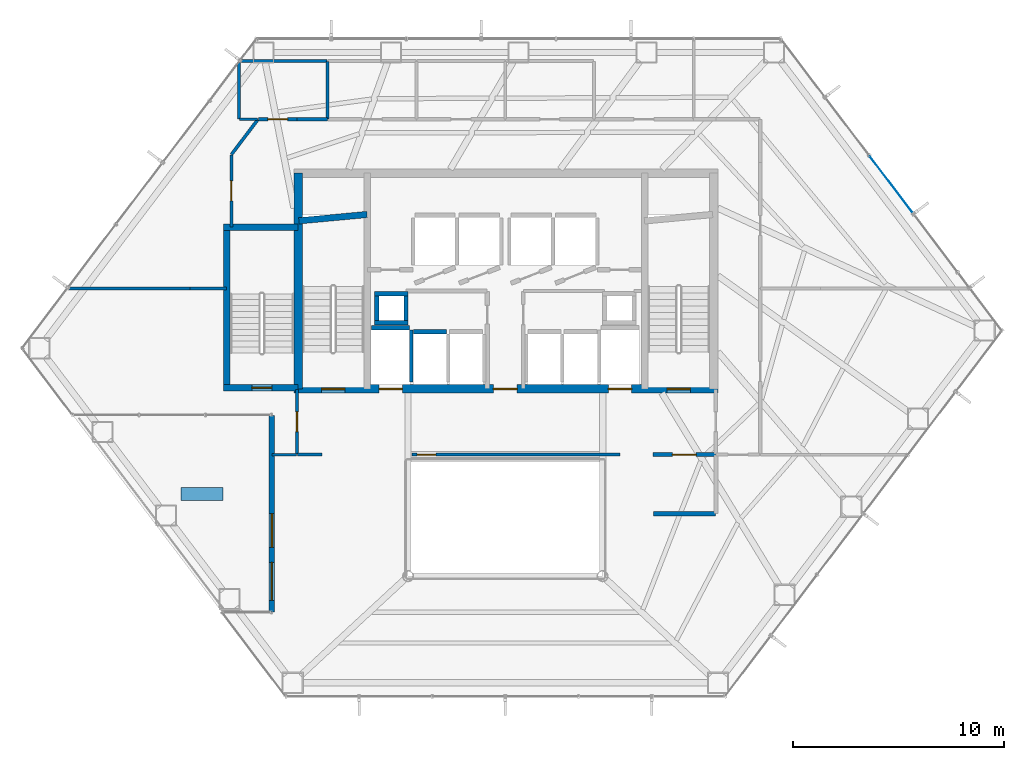
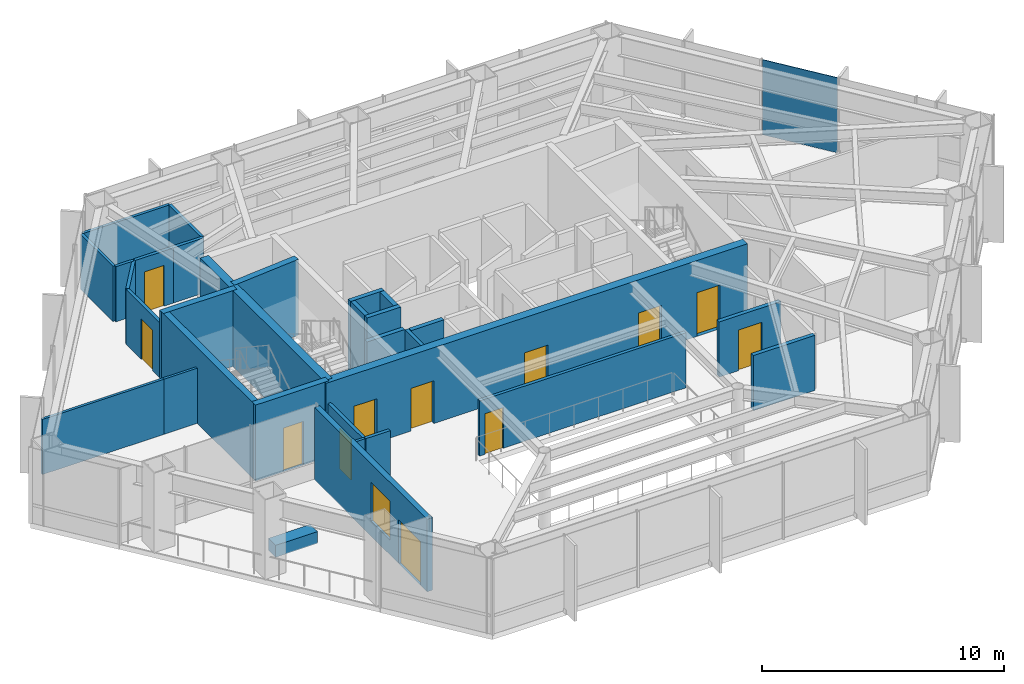
# One storey, part 20 of 24: 31 walls, 12 doors, 1 plate, 1 window, 13 openings, 1 element without a shape of its own.
"""IFC4 building model written with IfcOpenShell, lengths in metres."""

from ifc_helpers import new_model, si_unit, direction, frame, frame_2d, origin, origin_2d, place, context, subcontext, project, spatial, rectangle, extrude, material, layer, layer_set, type_object, element, fill, aggregate, save


model = new_model("IFC4")

# Units and contexts
model_context = context("Model", 3, precision=1e-05, world=origin(), true_north=direction((0.0, 1.0)))
body_context = subcontext(model_context, "Body", "Model", "MODEL_VIEW")
ifc_project = project(units=[si_unit("LENGTHUNIT", "METRE"), si_unit("AREAUNIT", "SQUARE_METRE"), si_unit("VOLUMEUNIT", "CUBIC_METRE"), si_unit("PLANEANGLEUNIT", "RADIAN"), si_unit("MASSUNIT", "GRAM", prefix="KILO")], contexts=[model_context])

# Site, building, storey
site_placement = place(None, origin())
site = spatial("IfcSite", under=ifc_project, at=site_placement, CompositionType="ELEMENT")
building_placement = place(site_placement, origin())
building = spatial("IfcBuilding", under=site, at=building_placement, Name="Zarrinselat Tower", CompositionType="ELEMENT")
storey_placement = place(building_placement, frame((0.0, 0.0, 64.260009765625)))
storey = spatial("IfcBuildingStorey", under=building, at=storey_placement, Name="L15", CompositionType="ELEMENT", Elevation=64.260009765625)

# Curtain wall, plate
ifc_material_1 = material(Name="Extruded Aluminium Alloy EN AW-6063 T6", Category="aluminium")
ifc_layer_1 = layer(ifc_material_1, 0.18505859375)
ifc_layer_set_1 = layer_set([ifc_layer_1], Name="Extruded Aluminium Alloy EN AW-6063 T6")
curtain_wall_type = type_object("IfcCurtainWallType", Name="CWS-OFF", PredefinedType="NOTDEFINED", material=ifc_layer_set_1)
curtain_wall_placement = place(storey_placement, origin())
curtain_wall = element("IfcCurtainWall", 1, at=curtain_wall_placement, inside=storey, type_object=curtain_wall_type, Name="L15 Unitised Curtain Wall CW-L15-E03", PredefinedType="NOTDEFINED")
ifc_material_2 = material(Name="Double Low-E Laminated Solar Glass", Category="glass")
ifc_layer_2 = layer(ifc_material_2, 0.031982421875)
ifc_layer_set_2 = layer_set([ifc_layer_2], Name="Double Low-E Laminated Solar Glass")
plate_type = type_object("IfcPlateType", Name="PLT-CW-GL32", PredefinedType="CURTAIN_PANEL", material=ifc_layer_set_2)
plate_placement = place(storey_placement, frame((56.654296875, 42.90966796875, 0.02001953125), z_axis=(0.0, 0.0, 1.0), x_axis=(0.603859800485, -0.797090547779, 0.0)))
plate = element("IfcPlate", 2, at=plate_placement, type_object=plate_type, Name="CW-L15-E03 Vision Glass Panel 3", PredefinedType="CURTAIN_PANEL", context=body_context, shape_type="SweptSolid", body=[
    extrude(rectangle(XDim=3.36328125, YDim=0.031982421875, at=origin_2d()), origin(), (0.0, 0.0, 1.0), 3.780029296875),
])
aggregate(curtain_wall, [plate])

# Wall, openings, door, window
ifc_material_3 = material(Name="Honed Cream Travertine Stone", Category="masonry")
ifc_layer_3 = layer(ifc_material_3, 0.260009765625)
ifc_layer_set_3 = layer_set([ifc_layer_3], Name="Honed Cream Travertine Stone")
wall_type_1 = type_object("IfcWallType", Name="WAL-EXT-STONE-260", PredefinedType="STANDARD", material=ifc_layer_set_3)
wall_1_placement = place(storey_placement, frame((27.363525390625, 22.70654296875, 0.0), z_axis=(0.0, 0.0, 1.0), x_axis=(0.0, 1.0, 0.0)))
wall_1 = element("IfcWall", 3, at=wall_1_placement, inside=storey, type_object=wall_type_1, Name="L15 Garden Terrace Portal Wall", PredefinedType="STANDARD", context=body_context, shape_type="SweptSolid", body=[
    extrude(rectangle(XDim=9.29345703125, YDim=0.260009765625, at=frame_2d((4.646728515625, 0.0))), origin(), (0.0, 0.0, 1.0), 3.64990234375),
])
opening_1_placement = place(wall_1_placement, frame((0.550048828125, 0.0, 0.0)))
opening_1 = element("IfcOpeningElement", 4, at=opening_1_placement, cuts=wall_1, Name="Opening ED-04", PredefinedType="OPENING", context=body_context, shape_type="SweptSolid", body=[
    extrude(rectangle(XDim=1.800048828125, YDim=2.199951171875, at=frame_2d((0.89990234375, 1.10009765625))), frame((0.0, 0.139892578125, 0.0), z_axis=(0.0, -1.0, 0.0), x_axis=(1.0, 0.0, 0.0)), (0.0, 0.0, 1.0), 0.280029296875),
])
opening_2_placement = place(wall_1_placement, frame((3.050048828125, 0.0, 0.75)))
opening_2 = element("IfcOpeningElement", 5, at=opening_2_placement, cuts=wall_1, Name="Opening WN-4", PredefinedType="OPENING", context=body_context, shape_type="SweptSolid", body=[
    extrude(rectangle(XDim=1.60009765625, YDim=1.949951171875, at=frame_2d((0.800048828125, 0.97509765625))), frame((0.0, 0.139892578125, 0.0), z_axis=(0.0, -1.0, 0.0), x_axis=(1.0, 0.0, 0.0)), (0.0, 0.0, 1.0), 0.280029296875),
])
ifc_material_4 = material(Name="Double Low-E Laminated Solar Glass", Category="glass")
door_type_1 = type_object("IfcDoorType", Name="DR-EXT-TERR-1800", OperationType="NOTDEFINED", PredefinedType="DOOR", material=ifc_material_4)
door_1_placement = place(opening_1_placement, origin())
door_1 = element("IfcDoor", 6, at=door_1_placement, inside=storey, type_object=door_type_1, Name="L15 Outdoor Garden Terrace Double Door", OperationType="DOUBLE_DOOR_SINGLE_SWING", OverallHeight=2.199951171875, OverallWidth=1.800048828125, PredefinedType="DOOR", context=body_context, shape_type="SweptSolid", body=[
    extrude(rectangle(XDim=1.800048828125, YDim=2.199951171875, at=frame_2d((0.89990234375, 1.10009765625))), frame((0.0, 0.02490234375, 0.0), z_axis=(0.0, -1.0, 0.0), x_axis=(1.0, 0.0, 0.0)), (0.0, 0.0, 1.0), 0.050048828125),
])
fill(opening_1, door_1)
ifc_material_5 = material(Name="Double Low-E Laminated Solar Glass", Category="glass")
window_type = type_object("IfcWindowType", Name="WIN-SKYG-1600", PartitioningType="SINGLE_PANEL", PredefinedType="WINDOW", material=ifc_material_5)
window_placement = place(opening_2_placement, origin())
window = element("IfcWindow", 7, at=window_placement, inside=storey, type_object=window_type, Name="L15 Garden Pavilion Window L", OverallHeight=1.949951171875, OverallWidth=1.60009765625, PartitioningType="SINGLE_PANEL", PredefinedType="WINDOW", context=body_context, shape_type="SweptSolid", body=[
    extrude(rectangle(XDim=1.60009765625, YDim=1.949951171875, at=frame_2d((0.800048828125, 0.97509765625))), frame((0.0, 0.030029296875, 0.0), z_axis=(0.0, -1.0, 0.0), x_axis=(1.0, 0.0, 0.0)), (0.0, 0.0, 1.0), 0.06005859375),
])
fill(opening_2, window)

# Wall, opening, door
ifc_material_6 = material(Name="Concrete C40/50", Category="concrete")
ifc_layer_4 = layer(ifc_material_6, 0.18994140625)
ifc_layer_set_4 = layer_set([ifc_layer_4], Name="Concrete C40/50")
wall_type_2 = type_object("IfcWallType", Name="WAL-PART-EI120", PredefinedType="PARTITIONING", material=ifc_layer_set_4)
wall_2_placement = place(storey_placement, frame((45.385009765625, 30.14990234375, 0.0), z_axis=(0.0, 0.0, 1.0), x_axis=(1.0, 0.0, 0.0)))
wall_2 = element("IfcWall", 8, at=wall_2_placement, inside=storey, type_object=wall_type_2, Name="L15 Partition Wall 8", PredefinedType="PARTITIONING", context=body_context, shape_type="SweptSolid", body=[
    extrude(rectangle(XDim=2.945068359375, YDim=0.18994140625, at=frame_2d((1.47265625, 0.0))), origin(), (0.0, 0.0, 1.0), 2.777099609375),
])
opening_3_placement = place(wall_2_placement, frame((0.91259765625, 0.0, 0.0)))
opening_3 = element("IfcOpeningElement", 9, at=opening_3_placement, cuts=wall_2, Name="Opening ID-02", PredefinedType="OPENING", context=body_context, shape_type="SweptSolid", body=[
    extrude(rectangle(XDim=1.1201171875, YDim=2.050048828125, at=frame_2d((0.56005859375, 1.02490234375))), frame((0.0, 0.10498046875, 0.0), z_axis=(0.0, -1.0, 0.0), x_axis=(1.0, 0.0, 0.0)), (0.0, 0.0, 1.0), 0.2099609375),
])
ifc_material_7 = material(Name="Steel S355J2", Category="steel")
door_type_2 = type_object("IfcDoorType", Name="DR-INT-FD60-W", OperationType="NOTDEFINED", PredefinedType="DOOR", material=ifc_material_7)
door_2_placement = place(opening_3_placement, origin())
door_2 = element("IfcDoor", 10, at=door_2_placement, inside=storey, type_object=door_type_2, Name="L15 Interior Door P8", OperationType="SINGLE_SWING_RIGHT", OverallHeight=2.050048828125, OverallWidth=1.1201171875, PredefinedType="DOOR", context=body_context, shape_type="SweptSolid", body=[
    extrude(rectangle(XDim=1.1201171875, YDim=2.050048828125, at=frame_2d((0.56005859375, 1.02490234375))), frame((0.0, 0.02490234375, 0.0), z_axis=(0.0, -1.0, 0.0), x_axis=(1.0, 0.0, 0.0)), (0.0, 0.0, 1.0), 0.050048828125),
])
fill(opening_3, door_2)

# Walls
wall_3_placement = place(storey_placement, frame((45.39990234375, 27.35009765625, 0.0), z_axis=(0.0, 0.0, 1.0), x_axis=(1.0, 0.0, 0.0)))
element("IfcWall", 11, at=wall_3_placement, inside=storey, type_object=wall_type_2, Name="L15 Partition Wall 13", PredefinedType="PARTITIONING", context=body_context, shape_type="SweptSolid", body=[
    extrude(rectangle(XDim=2.93017578125, YDim=0.18994140625, at=frame_2d((1.465087890625, 0.0))), origin(), (0.0, 0.0, 1.0), 2.777099609375),
])
ifc_material_8 = material(Name="Fire-Rated Gypsum Board Partition", Category="gypsum")
ifc_layer_5 = layer(ifc_material_8, 0.14990234375)
ifc_layer_set_5 = layer_set([ifc_layer_5], Name="Fire-Rated Gypsum Board Partition")
wall_type_3 = type_object("IfcWallType", Name="WAL-PART-EI60", PredefinedType="PARTITIONING", material=ifc_layer_set_5)
wall_4_placement = place(storey_placement, frame((28.570068359375, 30.14990234375, 0.0), z_axis=(0.0, 0.0, 1.0), x_axis=(1.0, 0.0, 0.0)))
element("IfcWall", 12, at=wall_4_placement, inside=storey, type_object=wall_type_3, Name="L15 Partition Wall 10", PredefinedType="PARTITIONING", context=body_context, shape_type="SweptSolid", body=[
    extrude(rectangle(XDim=1.16845703125, YDim=0.14990234375, at=frame_2d((0.584228515625, 0.0))), origin(), (0.0, 0.0, 1.0), 2.777099609375),
])

# Wall, opening, door
wall_5_placement = place(storey_placement, frame((28.550048828125, 30.169921875, 0.0), z_axis=(0.0, 0.0, 1.0), x_axis=(0.0, 1.0, 0.0)))
wall_5 = element("IfcWall", 13, at=wall_5_placement, inside=storey, type_object=wall_type_3, Name="L15 Partition Wall 11", PredefinedType="PARTITIONING", context=body_context, shape_type="SweptSolid", body=[
    extrude(rectangle(XDim=3.065185546875, YDim=0.14990234375, at=frame_2d((1.53271484375, 0.0))), origin(), (0.0, 0.0, 1.0), 2.777099609375),
])
opening_4_placement = place(wall_5_placement, frame((1.0625, 0.0, 0.0)))
opening_4 = element("IfcOpeningElement", 14, at=opening_4_placement, cuts=wall_5, Name="Opening ID-04", PredefinedType="OPENING", context=body_context, shape_type="SweptSolid", body=[
    extrude(rectangle(XDim=0.93994140625, YDim=2.050048828125, at=frame_2d((0.469970703125, 1.02490234375))), frame((0.0, 0.0849609375, 0.0), z_axis=(0.0, -1.0, 0.0), x_axis=(1.0, 0.0, 0.0)), (0.0, 0.0, 1.0), 0.169921875),
])
ifc_material_9 = material(Name="Fire-Rated Gypsum Board Partition")
door_type_3 = type_object("IfcDoorType", Name="DR-INT-FD30-ENT", OperationType="NOTDEFINED", PredefinedType="DOOR", material=ifc_material_9)
door_3_placement = place(opening_4_placement, origin())
door_3 = element("IfcDoor", 15, at=door_3_placement, inside=storey, type_object=door_type_3, Name="L15 Interior Door P11", OperationType="SINGLE_SWING_RIGHT", OverallHeight=2.050048828125, OverallWidth=0.93994140625, PredefinedType="DOOR", context=body_context, shape_type="SweptSolid", body=[
    extrude(rectangle(XDim=0.93994140625, YDim=2.050048828125, at=frame_2d((0.469970703125, 1.02490234375))), frame((0.0, 0.02490234375, 0.0), z_axis=(0.0, -1.0, 0.0), x_axis=(1.0, 0.0, 0.0)), (0.0, 0.0, 1.0), 0.050048828125),
])
fill(opening_4, door_3)

wall_6_placement = place(storey_placement, frame((33.985107421875, 30.14990234375, 0.0), z_axis=(0.0, 0.0, 1.0), x_axis=(1.0, 0.0, 0.0)))
wall_6 = element("IfcWall", 16, at=wall_6_placement, inside=storey, type_object=wall_type_3, Name="L15 Partition Wall 12", PredefinedType="PARTITIONING", context=body_context, shape_type="SweptSolid", body=[
    extrude(rectangle(XDim=9.829833984375, YDim=0.14990234375, at=frame_2d((4.9150390625, 0.0))), origin(), (0.0, 0.0, 1.0), 2.777099609375),
])
opening_5_placement = place(wall_6_placement, frame((0.25, 0.0, 0.0)))
opening_5 = element("IfcOpeningElement", 17, at=opening_5_placement, cuts=wall_6, Name="Opening ID-03", PredefinedType="OPENING", context=body_context, shape_type="SweptSolid", body=[
    extrude(rectangle(XDim=0.8798828125, YDim=2.050048828125, at=frame_2d((0.43994140625, 1.02490234375))), frame((0.0, 0.0849609375, 0.0), z_axis=(0.0, -1.0, 0.0), x_axis=(1.0, 0.0, 0.0)), (0.0, 0.0, 1.0), 0.169921875),
])
ifc_material_10 = material(Name="Steel S355J2", Category="steel")
door_type_4 = type_object("IfcDoorType", Name="DR-INT-FD60-S", OperationType="NOTDEFINED", PredefinedType="DOOR", material=ifc_material_10)
door_4_placement = place(opening_5_placement, origin())
door_4 = element("IfcDoor", 18, at=door_4_placement, inside=storey, type_object=door_type_4, Name="L15 Interior Door P12", OperationType="SINGLE_SWING_LEFT", OverallHeight=2.050048828125, OverallWidth=0.8798828125, PredefinedType="DOOR", context=body_context, shape_type="SweptSolid", body=[
    extrude(rectangle(XDim=0.8798828125, YDim=2.050048828125, at=frame_2d((0.43994140625, 1.02490234375))), frame((0.0, 0.02490234375, 0.0), z_axis=(0.0, -1.0, 0.0), x_axis=(1.0, 0.0, 0.0)), (0.0, 0.0, 1.0), 0.050048828125),
])
fill(opening_5, door_4)

wall_7_placement = place(storey_placement, frame((26.730224609375, 46.0, 0.0), z_axis=(0.0, 0.0, 1.0), x_axis=(1.0, 0.0, 0.0)))
wall_7 = element("IfcWall", 19, at=wall_7_placement, inside=storey, type_object=wall_type_3, Name="L15 Partition Wall 15", PredefinedType="PARTITIONING", context=body_context, shape_type="SweptSolid", body=[
    extrude(rectangle(XDim=1.81982421875, YDim=0.14990234375, at=frame_2d((0.909912109375, 0.0))), origin(), (0.0, 0.0, 1.0), 2.777099609375),
])
opening_6_placement = place(wall_7_placement, frame((0.43994140625, 0.0, 0.0)))
opening_6 = element("IfcOpeningElement", 20, at=opening_6_placement, cuts=wall_7, Name="Opening ID-04", PredefinedType="OPENING", context=body_context, shape_type="SweptSolid", body=[
    extrude(rectangle(XDim=0.93994140625, YDim=2.050048828125, at=frame_2d((0.469970703125, 1.02490234375))), frame((0.0, 0.0849609375, 0.0), z_axis=(0.0, -1.0, 0.0), x_axis=(1.0, 0.0, 0.0)), (0.0, 0.0, 1.0), 0.169921875),
])
door_5_placement = place(opening_6_placement, origin())
door_5 = element("IfcDoor", 21, at=door_5_placement, inside=storey, type_object=door_type_3, Name="L15 Interior Door P15", OperationType="SINGLE_SWING_RIGHT", OverallHeight=2.050048828125, OverallWidth=0.93994140625, PredefinedType="DOOR", context=body_context, shape_type="SweptSolid", body=[
    extrude(rectangle(XDim=0.93994140625, YDim=2.050048828125, at=frame_2d((0.469970703125, 1.02490234375))), frame((0.0, 0.02490234375, 0.0), z_axis=(0.0, -1.0, 0.0), x_axis=(1.0, 0.0, 0.0)), (0.0, 0.0, 1.0), 0.050048828125),
])
fill(opening_6, door_5)

# Wall
wall_8_placement = place(storey_placement, frame((28.550048828125, 46.0, 0.0), z_axis=(0.0, 0.0, 1.0), x_axis=(1.0, 0.0, 0.0)))
element("IfcWall", 22, at=wall_8_placement, inside=storey, type_object=wall_type_3, Name="L15 Partition Wall 16", PredefinedType="PARTITIONING", context=body_context, shape_type="SweptSolid", body=[
    extrude(rectangle(XDim=1.445068359375, YDim=0.14990234375, at=frame_2d((0.72265625, 0.0))), origin(), (0.0, 0.0, 1.0), 2.777099609375),
])

# Wall, opening, door
wall_9_placement = place(storey_placement, frame((25.449951171875, 40.9150390625, 0.0), z_axis=(0.0, 0.0, 1.0), x_axis=(0.0, 1.0, 0.0)))
wall_9 = element("IfcWall", 23, at=wall_9_placement, inside=storey, type_object=wall_type_3, Name="L15 Partition Wall 22", PredefinedType="PARTITIONING", context=body_context, shape_type="SweptSolid", body=[
    extrude(rectangle(XDim=3.406494140625, YDim=0.14990234375, at=frame_2d((1.703125, 0.0))), origin(), (0.0, 0.0, 1.0), 2.777099609375),
])
opening_7_placement = place(wall_9_placement, frame((1.2333984375, 0.0, 0.0)))
opening_7 = element("IfcOpeningElement", 24, at=opening_7_placement, cuts=wall_9, Name="Opening ID-04", PredefinedType="OPENING", context=body_context, shape_type="SweptSolid", body=[
    extrude(rectangle(XDim=0.93994140625, YDim=2.050048828125, at=frame_2d((0.469970703125, 1.02490234375))), frame((0.0, 0.0849609375, 0.0), z_axis=(0.0, -1.0, 0.0), x_axis=(1.0, 0.0, 0.0)), (0.0, 0.0, 1.0), 0.169921875),
])
door_6_placement = place(opening_7_placement, origin())
door_6 = element("IfcDoor", 25, at=door_6_placement, inside=storey, type_object=door_type_3, Name="L15 Interior Door P22", OperationType="SINGLE_SWING_RIGHT", OverallHeight=2.050048828125, OverallWidth=0.93994140625, PredefinedType="DOOR", context=body_context, shape_type="SweptSolid", body=[
    extrude(rectangle(XDim=0.93994140625, YDim=2.050048828125, at=frame_2d((0.469970703125, 1.02490234375))), frame((0.0, 0.02490234375, 0.0), z_axis=(0.0, -1.0, 0.0), x_axis=(1.0, 0.0, 0.0)), (0.0, 0.0, 1.0), 0.050048828125),
])
fill(opening_7, door_6)

# Walls
wall_10_placement = place(storey_placement, frame((25.449951171875, 44.336669921875, 0.0), z_axis=(0.0, 0.0, 1.0), x_axis=(0.603848590911, 0.797099039803, 0.0)))
element("IfcWall", 26, at=wall_10_placement, inside=storey, type_object=wall_type_3, Name="L15 Partition Wall 23", PredefinedType="PARTITIONING", context=body_context, shape_type="SweptSolid", body=[
    extrude(rectangle(XDim=2.06689453125, YDim=0.14990234375, at=frame_2d((1.033447265625, 0.0))), origin(), (0.0, 0.0, 1.0), 2.777099609375),
])
ifc_material_11 = material(Name="Fire-Rated Gypsum Board Partition", Category="gypsum")
ifc_layer_6 = layer(ifc_material_11, 0.1201171875)
ifc_layer_set_6 = layer_set([ifc_layer_6], Name="Fire-Rated Gypsum Board Partition")
wall_type_4 = type_object("IfcWallType", Name="WAL-PART-STD", PredefinedType="PARTITIONING", material=ifc_layer_set_6)
wall_11_placement = place(storey_placement, frame((27.378662109375, 30.14990234375, 0.0), z_axis=(0.0, 0.0, 1.0), x_axis=(1.0, 0.0, 0.0)))
element("IfcWall", 27, at=wall_11_placement, inside=storey, type_object=wall_type_4, Name="L15 Partition Wall 39", PredefinedType="PARTITIONING", context=body_context, shape_type="SweptSolid", body=[
    extrude(rectangle(XDim=1.1513671875, YDim=0.1201171875, at=frame_2d((0.57568359375, 0.0))), origin(), (0.0, 0.0, 1.0), 2.777099609375),
])
wall_12_placement = place(storey_placement, frame((17.703857421875, 38.0, 0.0), z_axis=(0.0, 0.0, 1.0), x_axis=(1.0, 0.0, 0.0)))
element("IfcWall", 28, at=wall_12_placement, inside=storey, type_object=wall_type_4, Name="L15 Partition Wall 42", PredefinedType="PARTITIONING", context=body_context, shape_type="SweptSolid", body=[
    extrude(rectangle(XDim=5.796142578125, YDim=0.1201171875, at=frame_2d((2.89794921875, 0.0))), origin(), (0.0, 0.0, 1.0), 2.777099609375),
])
wall_13_placement = place(storey_placement, frame((23.5, 38.0, 0.0), z_axis=(0.0, 0.0, 1.0), x_axis=(1.0, 0.0, 0.0)))
element("IfcWall", 29, at=wall_13_placement, inside=storey, type_object=wall_type_4, Name="L15 Partition Wall 43", PredefinedType="PARTITIONING", context=body_context, shape_type="SweptSolid", body=[
    extrude(rectangle(XDim=1.715087890625, YDim=0.1201171875, at=frame_2d((0.857421875, 0.0))), origin(), (0.0, 0.0, 1.0), 2.777099609375),
])
ifc_material_12 = material(Name="Fire-Rated Gypsum Board Partition", Category="gypsum")
ifc_layer_7 = layer(ifc_material_12, 0.135009765625)
ifc_layer_set_7 = layer_set([ifc_layer_7], Name="Fire-Rated Gypsum Board Partition")
wall_type_5 = type_object("IfcWallType", Name="WAL-PART-WET", PredefinedType="PARTITIONING", material=ifc_layer_set_7)
wall_14_placement = place(storey_placement, frame((30.0, 46.02001953125, 0.0), z_axis=(0.0, 0.0, 1.0), x_axis=(0.0, 1.0, 0.0)))
element("IfcWall", 30, at=wall_14_placement, inside=storey, type_object=wall_type_5, Name="L15 Partition Wall 29", PredefinedType="PARTITIONING", context=body_context, shape_type="SweptSolid", body=[
    extrude(rectangle(XDim=2.7099609375, YDim=0.135009765625, at=frame_2d((1.35498046875, 0.0))), origin(), (0.0, 0.0, 1.0), 2.777099609375),
])
wall_15_placement = place(storey_placement, frame((25.820068359375, 46.0, 0.0), z_axis=(0.0, 0.0, 1.0), x_axis=(1.0, 0.0, 0.0)))
element("IfcWall", 31, at=wall_15_placement, inside=storey, type_object=wall_type_5, Name="L15 Partition Wall 30", PredefinedType="PARTITIONING", context=body_context, shape_type="SweptSolid", body=[
    extrude(rectangle(XDim=0.8701171875, YDim=0.135009765625, at=frame_2d((0.43505859375, 0.0))), origin(), (0.0, 0.0, 1.0), 2.777099609375),
])
wall_16_placement = place(storey_placement, frame((25.800048828125, 46.02001953125, 0.0), z_axis=(0.0, 0.0, 1.0), x_axis=(0.0, 1.0, 0.0)))
element("IfcWall", 32, at=wall_16_placement, inside=storey, type_object=wall_type_5, Name="L15 Partition Wall 31", PredefinedType="PARTITIONING", context=body_context, shape_type="SweptSolid", body=[
    extrude(rectangle(XDim=2.671875, YDim=0.135009765625, at=frame_2d((1.3359375, 0.0))), origin(), (0.0, 0.0, 1.0), 2.777099609375),
])
wall_17_placement = place(storey_placement, frame((25.84765625, 48.75, 0.0), z_axis=(0.0, 0.0, 1.0), x_axis=(1.0, 0.0, 0.0)))
element("IfcWall", 33, at=wall_17_placement, inside=storey, type_object=wall_type_5, Name="L15 Partition Wall 32", PredefinedType="PARTITIONING", context=body_context, shape_type="SweptSolid", body=[
    extrude(rectangle(XDim=4.13232421875, YDim=0.135009765625, at=frame_2d((2.066162109375, 0.0))), origin(), (0.0, 0.0, 1.0), 2.777099609375),
])
ifc_material_13 = material(Name="Honed Cream Travertine Stone", Category="masonry")
ifc_layer_8 = layer(ifc_material_13, 0.199951171875)
ifc_layer_set_8 = layer_set([ifc_layer_8], Name="Honed Cream Travertine Stone")
wall_type_6 = type_object("IfcWallType", Name="WAL-PLANTER-200", PredefinedType="PARAPET", material=ifc_layer_set_8)
wall_18_placement = place(storey_placement, frame((23.059814453125, 28.281494140625, 0.0), z_axis=(0.0, 0.0, 1.0), x_axis=(1.0, 0.0, 0.0)))
element("IfcWall", 34, at=wall_18_placement, inside=storey, type_object=wall_type_6, Name="L15 Badgir Sky Garden Stone PLANTER Bed", PredefinedType="PARAPET", context=body_context, shape_type="SweptSolid", body=[
    extrude(rectangle(XDim=2.0, YDim=0.60009765625, at=frame_2d((1.0, 0.0))), origin(), (0.0, 0.0, 1.0), 0.60009765625),
])
ifc_material_14 = material(Name="Concrete C40/50", Category="concrete")
ifc_layer_9 = layer(ifc_material_14, 0.2099609375)
ifc_layer_set_9 = layer_set([ifc_layer_9], Name="Concrete C40/50")
wall_type_7 = type_object("IfcWallType", Name="WAL-SHAFT-210", PredefinedType="SOLIDWALL", material=ifc_layer_set_9)
wall_19_placement = place(storey_placement, frame((32.080078125, 36.155029296875, 0.0), z_axis=(0.0, 0.0, 1.0), x_axis=(1.0, 0.0, 0.0)))
element("IfcWall", 35, at=wall_19_placement, inside=storey, type_object=wall_type_7, Name="L15 Lift FFL1 North Shaft Wall", PredefinedType="SOLIDWALL", context=body_context, shape_type="SweptSolid", body=[
    extrude(rectangle(XDim=1.7998046875, YDim=0.2099609375, at=frame_2d((0.89990234375, 0.0))), origin(), (0.0, 0.0, 1.0), 2.7919921875),
])
wall_20_placement = place(storey_placement, frame((33.949951171875, 33.580078125, 0.0), z_axis=(0.0, 0.0, 1.0), x_axis=(0.0, 1.0, 0.0)))
element("IfcWall", 36, at=wall_20_placement, inside=storey, type_object=wall_type_7, Name="L15 Lift FFL1 E Shaft Wall", PredefinedType="SOLIDWALL", context=body_context, shape_type="SweptSolid", body=[
    extrude(rectangle(XDim=2.449951171875, YDim=0.159912109375, at=frame_2d((1.22509765625, 0.0))), origin(), (0.0, 0.0, 1.0), 2.7919921875),
])
wall_21_placement = place(storey_placement, frame((34.070068359375, 35.955078125, 0.0), z_axis=(0.0, 0.0, 1.0), x_axis=(1.0, 0.0, 0.0)))
element("IfcWall", 37, at=wall_21_placement, inside=storey, type_object=wall_type_7, Name="L15 Lift PL5 North Shaft Wall", PredefinedType="SOLIDWALL", context=body_context, shape_type="SweptSolid", body=[
    extrude(rectangle(XDim=1.559814453125, YDim=0.2099609375, at=frame_2d((0.77978515625, 0.0))), origin(), (0.0, 0.0, 1.0), 2.7919921875),
])
for number, where, z_axis, x_axis, name in (
    (38, (32.2099609375, 36.375, 0.0), (0.0, 0.0, 1.0), (1.0, 0.0, 0.0), "L15 Core Riser RSR-W S Shaft Wall"),
    (39, (32.2099609375, 37.7451171875, 0.0), (0.0, 0.0, 1.0), (1.0, 0.0, 0.0), "L15 Core Riser RSR-W N Shaft Wall"),
):
    element("IfcWall", number, at=place(storey_placement, frame(where, z_axis=z_axis, x_axis=x_axis)), inside=storey, type_object=wall_type_7, Name=name, PredefinedType="SOLIDWALL", context=body_context, shape_type="SweptSolid", body=[
        extrude(rectangle(XDim=1.60009765625, YDim=0.2099609375, at=frame_2d((0.800048828125, 0.0))), origin(), (0.0, 0.0, 1.0), 3.820068359375),
    ])
for number, where, z_axis, x_axis, name in (
    (40, (32.31494140625, 36.485107421875, 0.0), (0.0, 0.0, 1.0), (0.0, 1.0, 0.0), "L15 Core Riser RSR-W W Shaft Wall"),
    (41, (33.705078125, 36.485107421875, 0.0), (0.0, 0.0, 1.0), (0.0, 1.0, 0.0), "L15 Core Riser RSR-W E Shaft Wall"),
):
    element("IfcWall", number, at=place(storey_placement, frame(where, z_axis=z_axis, x_axis=x_axis)), inside=storey, type_object=wall_type_7, Name=name, PredefinedType="SOLIDWALL", context=body_context, shape_type="SweptSolid", body=[
        extrude(rectangle(XDim=1.14990234375, YDim=0.2099609375, at=frame_2d((0.574951171875, 0.0))), origin(), (0.0, 0.0, 1.0), 3.820068359375),
    ])
ifc_material_15 = material(Name="Concrete C40/50", Category="concrete")
ifc_layer_10 = layer(ifc_material_15, 0.300048828125)
ifc_layer_set_10 = layer_set([ifc_layer_10], Name="Concrete C40/50")
wall_type_8 = type_object("IfcWallType", Name="WAL-SHEAR-300", PredefinedType="SHEAR", material=ifc_layer_set_10)
wall_22_placement = place(storey_placement, frame((28.639892578125, 41.199951171875, 0.0), z_axis=(0.0, 0.0, 1.0), x_axis=(0.995687118776, 0.092774789157, 0.0)))
element("IfcWall", 42, at=wall_22_placement, inside=storey, type_object=wall_type_8, Name="L15 Stair 1 North Shaft Wall", PredefinedType="SHEAR", context=body_context, shape_type="SweptSolid", body=[
    extrude(rectangle(XDim=3.234130859375, YDim=0.300048828125, at=frame_2d((1.6171875, 0.0))), origin(), (0.0, 0.0, 1.0), 3.820068359375),
])
wall_23_placement = place(storey_placement, frame((25.080078125, 40.89990234375, 0.0), z_axis=(0.0, 0.0, 1.0), x_axis=(1.0, 0.0, 0.0)))
element("IfcWall", 43, at=wall_23_placement, inside=storey, type_object=wall_type_8, Name="L15 Stair 3 North Shear Wall", PredefinedType="SHEAR", context=body_context, shape_type="SweptSolid", body=[
    extrude(rectangle(XDim=3.52001953125, YDim=0.300048828125, at=frame_2d((1.760009765625, 0.0))), origin(), (0.0, 0.0, 1.0), 3.820068359375),
])

# Wall, opening, door
wall_24_placement = place(storey_placement, frame((25.080078125, 33.300048828125, 0.0), z_axis=(0.0, 0.0, 1.0), x_axis=(1.0, 0.0, 0.0)))
wall_24 = element("IfcWall", 44, at=wall_24_placement, inside=storey, type_object=wall_type_8, Name="L15 Stair 3 South Shear Wall", PredefinedType="SHEAR", context=body_context, shape_type="SweptSolid", body=[
    extrude(rectangle(XDim=3.52001953125, YDim=0.300048828125, at=frame_2d((1.760009765625, 0.0))), origin(), (0.0, 0.0, 1.0), 3.820068359375),
])
opening_8_placement = place(wall_24_placement, frame((1.3349609375, 0.0, 0.0)))
opening_8 = element("IfcOpeningElement", 45, at=opening_8_placement, cuts=wall_24, Name="Opening SD-02", PredefinedType="OPENING", context=body_context, shape_type="SweptSolid", body=[
    extrude(rectangle(XDim=0.949951171875, YDim=2.199951171875, at=frame_2d((0.47509765625, 1.10009765625))), frame((0.0, 0.159912109375, 0.0), z_axis=(0.0, -1.0, 0.0), x_axis=(1.0, 0.0, 0.0)), (0.0, 0.0, 1.0), 0.320068359375),
])
ifc_material_16 = material(Name="Steel S355J2", Category="steel")
door_type_5 = type_object("IfcDoorType", Name="DR-STAIR-1050", OperationType="NOTDEFINED", PredefinedType="DOOR", material=ifc_material_16)
door_7_placement = place(opening_8_placement, origin())
door_7 = element("IfcDoor", 46, at=door_7_placement, inside=storey, type_object=door_type_5, Name="L15 Exit Stair 3 Fire Door", OperationType="SINGLE_SWING_LEFT", OverallHeight=2.199951171875, OverallWidth=0.949951171875, PredefinedType="DOOR", context=body_context, shape_type="SweptSolid", body=[
    extrude(rectangle(XDim=0.949951171875, YDim=2.199951171875, at=frame_2d((0.47509765625, 1.10009765625))), frame((0.0, 0.02490234375, 0.0), z_axis=(0.0, -1.0, 0.0), x_axis=(1.0, 0.0, 0.0)), (0.0, 0.0, 1.0), 0.050048828125),
])
fill(opening_8, door_7)

# Wall
wall_25_placement = place(storey_placement, frame((25.22998046875, 33.300048828125, 0.0), z_axis=(0.0, 0.0, 1.0), x_axis=(0.0, 1.0, 0.0)))
element("IfcWall", 47, at=wall_25_placement, inside=storey, type_object=wall_type_8, Name="L15 Stair 3 West Shear Wall", PredefinedType="SHEAR", context=body_context, shape_type="SweptSolid", body=[
    extrude(rectangle(XDim=7.599853515625, YDim=0.300048828125, at=frame_2d((3.7998046875, 0.0))), origin(), (0.0, 0.0, 1.0), 3.820068359375),
])

# Wall, openings, doors
ifc_material_17 = material(Name="Concrete C60/75", Category="concrete")
ifc_layer_11 = layer(ifc_material_17, 0.39990234375)
ifc_layer_set_11 = layer_set([ifc_layer_11], Name="Concrete C60/75")
wall_type_9 = type_object("IfcWallType", Name="WAL-SHEAR-400", PredefinedType="SHEAR", material=ifc_layer_set_11)
wall_26_placement = place(storey_placement, frame((28.39990234375, 33.25, 0.0), z_axis=(0.0, 0.0, 1.0), x_axis=(1.0, 0.0, 0.0)))
wall_26 = element("IfcWall", 48, at=wall_26_placement, inside=storey, type_object=wall_type_9, Name="L15 South Core Shear Wall", PredefinedType="SHEAR", context=body_context, shape_type="SweptSolid", body=[
    extrude(rectangle(XDim=20.06005859375, YDim=0.39990234375, at=frame_2d((10.030029296875, 0.0))), origin(), (0.0, 0.0, 1.0), 3.820068359375),
])
opening_9_placement = place(wall_26_placement, frame((4.030029296875, 0.0, 0.0)))
opening_9 = element("IfcOpeningElement", 49, at=opening_9_placement, cuts=wall_26, Name="Opening LD-FFL1", PredefinedType="OPENING", context=body_context, shape_type="SweptSolid", body=[
    extrude(rectangle(XDim=1.10009765625, YDim=2.14990234375, at=frame_2d((0.550048828125, 1.074951171875))), frame((0.0, 0.2099609375, 0.0), z_axis=(0.0, -1.0, 0.0), x_axis=(1.0, 0.0, 0.0)), (0.0, 0.0, 1.0), 0.419921875),
])
opening_10_placement = place(wall_26_placement, frame((14.8701171875, 0.0, 0.0)))
opening_10 = element("IfcOpeningElement", 50, at=opening_10_placement, cuts=wall_26, Name="Opening LD-FFL2", PredefinedType="OPENING", context=body_context, shape_type="SweptSolid", body=[
    extrude(rectangle(XDim=1.10009765625, YDim=2.14990234375, at=frame_2d((0.550048828125, 1.074951171875))), frame((0.0, 0.2099609375, 0.0), z_axis=(0.0, -1.0, 0.0), x_axis=(1.0, 0.0, 0.0)), (0.0, 0.0, 1.0), 0.419921875),
])
opening_11_placement = place(wall_26_placement, frame((1.31005859375, 0.0, 0.0)))
opening_11 = element("IfcOpeningElement", 51, at=opening_11_placement, cuts=wall_26, Name="Opening SD-01", PredefinedType="OPENING", context=body_context, shape_type="SweptSolid", body=[
    extrude(rectangle(XDim=1.10009765625, YDim=2.199951171875, at=frame_2d((0.550048828125, 1.10009765625))), frame((0.0, 0.2099609375, 0.0), z_axis=(0.0, -1.0, 0.0), x_axis=(1.0, 0.0, 0.0)), (0.0, 0.0, 1.0), 0.419921875),
])
opening_12_placement = place(wall_26_placement, frame((9.43994140625, 0.0, 0.0)))
opening_12 = element("IfcOpeningElement", 52, at=opening_12_placement, cuts=wall_26, Name="Opening ID-02", PredefinedType="OPENING", context=body_context, shape_type="SweptSolid", body=[
    extrude(rectangle(XDim=1.1201171875, YDim=2.050048828125, at=frame_2d((0.56005859375, 1.02490234375))), frame((0.0, 0.2099609375, 0.0), z_axis=(0.0, -1.0, 0.0), x_axis=(1.0, 0.0, 0.0)), (0.0, 0.0, 1.0), 0.419921875),
])
opening_13_placement = place(wall_26_placement, frame((17.64990234375, 0.0, 0.0)))
opening_13 = element("IfcOpeningElement", 53, at=opening_13_placement, cuts=wall_26, Name="Opening SD-01", PredefinedType="OPENING", context=body_context, shape_type="SweptSolid", body=[
    extrude(rectangle(XDim=1.10009765625, YDim=2.199951171875, at=frame_2d((0.550048828125, 1.10009765625))), frame((0.0, 0.2099609375, 0.0), z_axis=(0.0, -1.0, 0.0), x_axis=(1.0, 0.0, 0.0)), (0.0, 0.0, 1.0), 0.419921875),
])
door_8_placement = place(opening_12_placement, origin())
door_8 = element("IfcDoor", 54, at=door_8_placement, inside=storey, type_object=door_type_2, Name="L15 Core Service Vestibule Fire Door", OperationType="SINGLE_SWING_LEFT", OverallHeight=2.050048828125, OverallWidth=1.1201171875, PredefinedType="DOOR", context=body_context, shape_type="SweptSolid", body=[
    extrude(rectangle(XDim=1.1201171875, YDim=2.050048828125, at=frame_2d((0.56005859375, 1.02490234375))), frame((0.0, 0.02490234375, 0.0), z_axis=(0.0, -1.0, 0.0), x_axis=(1.0, 0.0, 0.0)), (0.0, 0.0, 1.0), 0.050048828125),
])
fill(opening_12, door_8)
ifc_material_18 = material(Name="Steel S355J2", Category="steel")
door_type_6 = type_object("IfcDoorType", Name="DR-LIFT-FF-1100", OperationType="NOTDEFINED", PredefinedType="DOOR", material=ifc_material_18)
door_9_placement = place(opening_9_placement, origin())
door_9 = element("IfcDoor", 55, at=door_9_placement, inside=storey, type_object=door_type_6, Name="L15 Lift FFL1 Sliding Landing Door", OperationType="SLIDING_TO_LEFT", OverallHeight=2.14990234375, OverallWidth=1.10009765625, PredefinedType="DOOR", context=body_context, shape_type="SweptSolid", body=[
    extrude(rectangle(XDim=1.10009765625, YDim=2.14990234375, at=frame_2d((0.550048828125, 1.074951171875))), frame((0.0, 0.02490234375, 0.0), z_axis=(0.0, -1.0, 0.0), x_axis=(1.0, 0.0, 0.0)), (0.0, 0.0, 1.0), 0.050048828125),
])
fill(opening_9, door_9)
door_10_placement = place(opening_10_placement, origin())
door_10 = element("IfcDoor", 56, at=door_10_placement, inside=storey, type_object=door_type_6, Name="L15 Lift FFL2 Sliding Landing Door", OperationType="SLIDING_TO_RIGHT", OverallHeight=2.14990234375, OverallWidth=1.10009765625, PredefinedType="DOOR", context=body_context, shape_type="SweptSolid", body=[
    extrude(rectangle(XDim=1.10009765625, YDim=2.14990234375, at=frame_2d((0.550048828125, 1.074951171875))), frame((0.0, 0.02490234375, 0.0), z_axis=(0.0, -1.0, 0.0), x_axis=(1.0, 0.0, 0.0)), (0.0, 0.0, 1.0), 0.050048828125),
])
fill(opening_10, door_10)
ifc_material_19 = material(Name="Steel S355J2", Category="steel")
door_type_7 = type_object("IfcDoorType", Name="DR-STAIR-1100", OperationType="NOTDEFINED", PredefinedType="DOOR", material=ifc_material_19)
door_11_placement = place(opening_11_placement, origin())
door_11 = element("IfcDoor", 57, at=door_11_placement, inside=storey, type_object=door_type_7, Name="L15 Exit Stair 1 Fire Door", OperationType="SINGLE_SWING_LEFT", OverallHeight=2.199951171875, OverallWidth=1.10009765625, PredefinedType="DOOR", context=body_context, shape_type="SweptSolid", body=[
    extrude(rectangle(XDim=1.10009765625, YDim=2.199951171875, at=frame_2d((0.550048828125, 1.10009765625))), frame((0.0, 0.02490234375, 0.0), z_axis=(0.0, -1.0, 0.0), x_axis=(1.0, 0.0, 0.0)), (0.0, 0.0, 1.0), 0.050048828125),
])
fill(opening_11, door_11)
door_12_placement = place(opening_13_placement, origin())
door_12 = element("IfcDoor", 58, at=door_12_placement, inside=storey, type_object=door_type_7, Name="L15 Exit Stair 2 Fire Door", OperationType="SINGLE_SWING_RIGHT", OverallHeight=2.199951171875, OverallWidth=1.10009765625, PredefinedType="DOOR", context=body_context, shape_type="SweptSolid", body=[
    extrude(rectangle(XDim=1.10009765625, YDim=2.199951171875, at=frame_2d((0.550048828125, 1.10009765625))), frame((0.0, 0.02490234375, 0.0), z_axis=(0.0, -1.0, 0.0), x_axis=(1.0, 0.0, 0.0)), (0.0, 0.0, 1.0), 0.050048828125),
])
fill(opening_13, door_12)

# Wall
wall_27_placement = place(storey_placement, frame((28.60009765625, 33.25, 0.0), z_axis=(0.0, 0.0, 1.0), x_axis=(0.0, 1.0, 0.0)))
element("IfcWall", 59, at=wall_27_placement, inside=storey, type_object=wall_type_9, Name="L15 Core Shear Wall W", PredefinedType="SHEAR", context=body_context, shape_type="SweptSolid", body=[
    extrude(rectangle(XDim=10.199951171875, YDim=0.39990234375, at=frame_2d((5.10009765625, 0.0))), origin(), (0.0, 0.0, 1.0), 3.820068359375),
])

save(model, "model.ifc")
